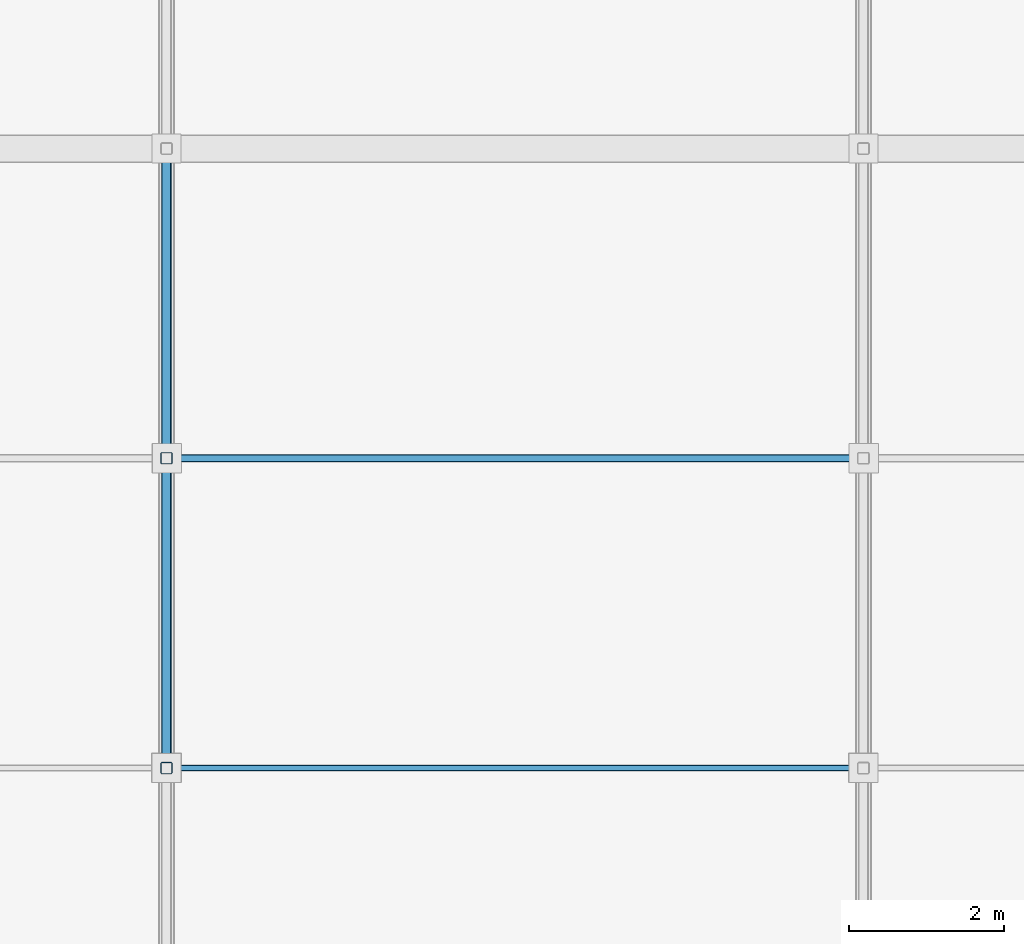
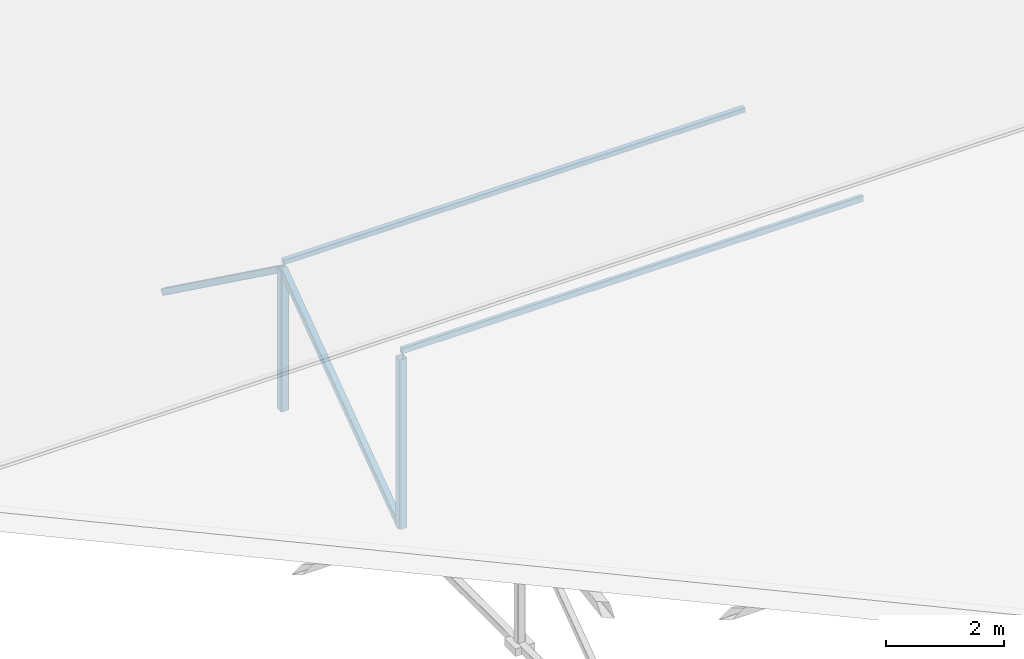
# One storey, part 15 of 118: 6 members.
"""IFC4 building model written with IfcOpenShell, lengths in metres."""

from ifc_helpers import new_model, si_unit, direction, frame, origin, origin_2d, place, context, subcontext, project, spatial, hollow_rectangle, extrude, material, material_profile, profile_set, type_object, element, save


model = new_model("IFC4")

# Units and contexts
model_context = context("Model", 3, precision=1e-05, world=origin(), true_north=direction((0.0, 1.0)))
body_context = subcontext(model_context, "Body", "Model", "MODEL_VIEW")
ifc_project = project(units=[si_unit("LENGTHUNIT", "METRE"), si_unit("AREAUNIT", "SQUARE_METRE"), si_unit("VOLUMEUNIT", "CUBIC_METRE"), si_unit("PLANEANGLEUNIT", "RADIAN"), si_unit("MASSUNIT", "GRAM", prefix="KILO"), si_unit("THERMODYNAMICTEMPERATUREUNIT", "KELVIN"), si_unit("POWERUNIT", "WATT")], contexts=[model_context])

# Site, building, storey
site_placement = place(None, origin())
site = spatial("IfcSite", under=ifc_project, at=site_placement, CompositionType="ELEMENT")
building_placement = place(site_placement, origin())
building = spatial("IfcBuilding", under=site, at=building_placement, Name="Zelmaris Science Centre", CompositionType="ELEMENT")
storey_placement = place(building_placement, frame((0.0, 0.0, 15.60009765625)))
storey = spatial("IfcBuildingStorey", under=building, at=storey_placement, Name="L03", CompositionType="ELEMENT", Elevation=15.60009765625)

# Members
ifc_material = material(Name="Steel ASTM A500 Grade C", Category="steel")
ifc_material_profile_1 = material_profile(ifc_material, hollow_rectangle(XDim=0.076171875, YDim=0.126953125, WallThickness=0.005859375, InnerFilletRadius=0.005859375, OuterFilletRadius=0.01171875, at=origin_2d()), Name="HSS127X76X6")
ifc_profile_set_1 = profile_set([ifc_material_profile_1], Name="Steel ASTM A500 Grade C")
member_type_1 = type_object("IfcMemberType", Name="Roof Purlin PR-06 HSS127X76X6", PredefinedType="PURLIN", material=ifc_profile_set_1)
member_1_placement = place(storey_placement, frame((27.0, 24.0, 3.52880859375), z_axis=(1.0, 0.0, 0.0), x_axis=(0.0, 1.0, 0.0)))
element("IfcMember", 1, at=member_1_placement, inside=storey, type_object=member_type_1, Name="RF-V3 Roof purlin 23", PredefinedType="PURLIN", context=body_context, shape_type="SweptSolid", body=[
    extrude(hollow_rectangle(XDim=0.076171875, YDim=0.126953125, WallThickness=0.005859375, InnerFilletRadius=0.005859375, OuterFilletRadius=0.01171875, at=origin_2d()), origin(), (0.0, 0.0, 1.0), 9.0),
])
ifc_material_profile_2 = material_profile(ifc_material, hollow_rectangle(XDim=0.1015625, YDim=0.1015625, WallThickness=0.005859375, InnerFilletRadius=0.005859375, OuterFilletRadius=0.01171875, at=origin_2d()), Name="HSS102X102X6")
ifc_profile_set_2 = profile_set([ifc_material_profile_2], Name="Steel ASTM A500 Grade C")
member_type_2 = type_object("IfcMemberType", Name="Roof Purlin PR-07 HSS102X102X6", PredefinedType="PURLIN", material=ifc_profile_set_2)
member_2_placement = place(storey_placement, frame((27.0, 28.0, 2.94140625), z_axis=(1.0, 0.0, 0.0), x_axis=(0.0, 1.0, 0.0)))
element("IfcMember", 2, at=member_2_placement, inside=storey, type_object=member_type_2, Name="RF-V3 Roof purlin 24", PredefinedType="PURLIN", context=body_context, shape_type="SweptSolid", body=[
    extrude(hollow_rectangle(XDim=0.1015625, YDim=0.1015625, WallThickness=0.005859375, InnerFilletRadius=0.005859375, OuterFilletRadius=0.01171875, at=origin_2d()), origin(), (0.0, 0.0, 1.0), 9.0),
])
ifc_material_profile_3 = material_profile(ifc_material, hollow_rectangle(XDim=0.15234375, YDim=0.15234375, WallThickness=0.0087890625, InnerFilletRadius=0.0087890625, OuterFilletRadius=0.017822265625, at=origin_2d()), Name="HSS152X152X10")
ifc_profile_set_3 = profile_set([ifc_material_profile_3], Name="Steel ASTM A500 Grade C")
member_type_3 = type_object("IfcMemberType", Name="Structural Brace BR-03 HSS152X152X10", PredefinedType="BRACE", material=ifc_profile_set_3)
member_3_placement = place(storey_placement, frame((27.0, 24.0, -0.1044921875), z_axis=(0.0, 0.0, 1.0), x_axis=(1.0, 0.0, 0.0)))
element("IfcMember", 3, at=member_3_placement, inside=storey, type_object=member_type_3, Name="RF-V3 Roof truss 3 vertical web 4", PredefinedType="BRACE", context=body_context, shape_type="SweptSolid", body=[
    extrude(hollow_rectangle(XDim=0.15234375, YDim=0.15234375, WallThickness=0.0087890625, InnerFilletRadius=0.0087890625, OuterFilletRadius=0.017822265625, at=origin_2d()), origin(), (0.0, 0.0, 1.0), 3.5),
])
member_4_placement = place(storey_placement, frame((27.0, 28.0, -0.1044921875), z_axis=(0.0, 0.0, 1.0), x_axis=(1.0, 0.0, 0.0)))
element("IfcMember", 4, at=member_4_placement, inside=storey, type_object=member_type_3, Name="RF-V3 Roof truss 3 vertical web 5", PredefinedType="BRACE", context=body_context, shape_type="SweptSolid", body=[
    extrude(hollow_rectangle(XDim=0.15234375, YDim=0.15234375, WallThickness=0.0087890625, InnerFilletRadius=0.0087890625, OuterFilletRadius=0.017822265625, at=origin_2d()), origin(), (0.0, 0.0, 1.0), 2.900146484375),
])
ifc_material_profile_4 = material_profile(ifc_material, hollow_rectangle(XDim=0.126953125, YDim=0.126953125, WallThickness=0.00732421875, InnerFilletRadius=0.00732421875, OuterFilletRadius=0.014892578125, at=origin_2d()), Name="HSS127X127X8")
ifc_profile_set_4 = profile_set([ifc_material_profile_4], Name="Steel ASTM A500 Grade C")
member_type_4 = type_object("IfcMemberType", Name="Structural Brace BR-04 HSS127X127X8", PredefinedType="BRACE", material=ifc_profile_set_4)
for number, where, z_axis, x_axis, name in (
    (5, (27.0, 24.0, -0.1044921875), (0.0, 0.80959635384, 0.586987004838), (-1.0, 0.0, 0.0), "RF-V3 Roof truss 3 web diagonal 5"),
    (6, (27.0, 28.0, 2.795654296875), (0.0, 0.80959635384, -0.586987004838), (-1.0, 0.0, 0.0), "RF-V3 Roof truss 3 web diagonal 6"),
):
    element("IfcMember", number, at=place(storey_placement, frame(where, z_axis=z_axis, x_axis=x_axis)), inside=storey, type_object=member_type_4, Name=name, PredefinedType="BRACE", context=body_context, shape_type="SweptSolid", body=[
        extrude(hollow_rectangle(XDim=0.126953125, YDim=0.126953125, WallThickness=0.00732421875, InnerFilletRadius=0.00732421875, OuterFilletRadius=0.014892578125, at=origin_2d()), origin(), (0.0, 0.0, 1.0), 4.940673828125),
    ])

save(model, "model.ifc")
